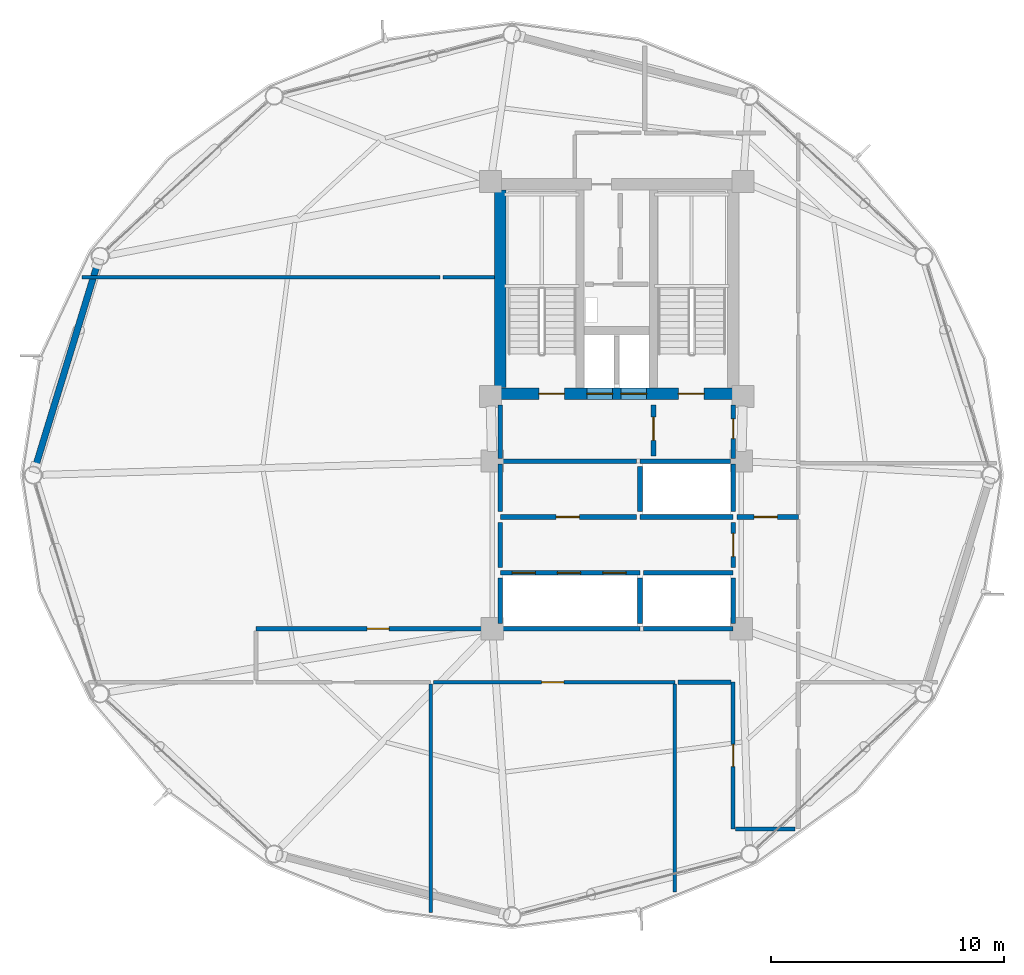
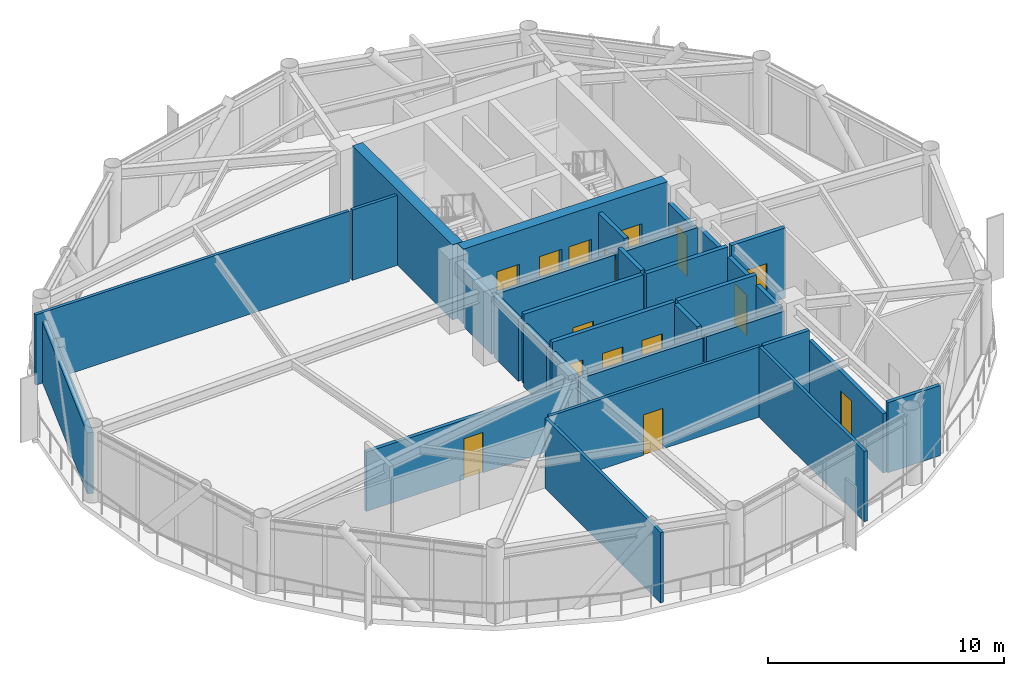
# One storey, part 20 of 24: 32 walls, 15 doors, 15 openings.
"""IFC4 building model written with IfcOpenShell, lengths in metres."""

from ifc_helpers import new_model, si_unit, direction, frame, frame_2d, origin, place, context, subcontext, project, spatial, rectangle, extrude, material, layer, layer_set, type_object, element, fill, save


model = new_model("IFC4")

# Units and contexts
model_context = context("Model", 3, precision=1e-05, world=origin(), true_north=direction((0.0, 1.0)))
body_context = subcontext(model_context, "Body", "Model", "MODEL_VIEW")
ifc_project = project(units=[si_unit("LENGTHUNIT", "METRE"), si_unit("AREAUNIT", "SQUARE_METRE"), si_unit("VOLUMEUNIT", "CUBIC_METRE"), si_unit("PLANEANGLEUNIT", "RADIAN"), si_unit("MASSUNIT", "GRAM", prefix="KILO")], contexts=[model_context])

# Site, building, storey
site_placement = place(None, origin())
site = spatial("IfcSite", under=ifc_project, at=site_placement, CompositionType="ELEMENT")
building_placement = place(site_placement, origin())
building = spatial("IfcBuilding", under=site, at=building_placement, Name="Varnakorn Sky Granary", CompositionType="ELEMENT")
storey_placement = place(building_placement, frame((0.0, 0.0, 161.699951171875)))
storey = spatial("IfcBuildingStorey", under=building, at=storey_placement, Name="L40", CompositionType="ELEMENT", Elevation=161.699951171875)

# Wall, openings, doors
ifc_material_1 = material(Name="Concrete C60/75", Category="concrete")
ifc_layer_1 = layer(ifc_material_1, 0.5, Name="Concrete C60/75")
ifc_layer_set_1 = layer_set([ifc_layer_1], Name="Concrete C60/75")
wall_type_1 = type_object("IfcWallType", Name="WT-CW-SHEAR-500", PredefinedType="SHEAR", material=ifc_layer_set_1)
wall_1_placement = place(storey_placement, frame((-2.0, 3.5, 0.0), z_axis=(0.0, 0.0, 1.0), x_axis=(1.0, 0.0, 0.0)))
wall_1 = element("IfcWall", 1, at=wall_1_placement, inside=storey, type_object=wall_type_1, Name="Core South Shear Wall L40", PredefinedType="SHEAR", context=body_context, shape_type="SweptSolid", body=[
    extrude(rectangle(XDim=10.0, YDim=0.5, at=frame_2d((5.0, 0.0))), origin(), (0.0, 0.0, 1.0), 3.89208984375),
])
opening_1_placement = place(wall_1_placement, frame((1.64990234375, 0.0, 0.0)))
opening_1 = element("IfcOpeningElement", 2, at=opening_1_placement, cuts=wall_1, Name="Opening FD-90", PredefinedType="OPENING", context=body_context, shape_type="SweptSolid", body=[
    extrude(rectangle(XDim=1.10009765625, YDim=2.14990234375, at=frame_2d((0.550048828125, 1.074951171875))), frame((0.0, 0.260009765625, 0.0), z_axis=(0.0, -1.0, 0.0), x_axis=(1.0, 0.0, 0.0)), (0.0, 0.0, 1.0), 0.52001953125),
])
opening_2_placement = place(wall_1_placement, frame((7.64990234375, 0.0, 0.0)))
opening_2 = element("IfcOpeningElement", 3, at=opening_2_placement, cuts=wall_1, Name="Opening FD-90", PredefinedType="OPENING", context=body_context, shape_type="SweptSolid", body=[
    extrude(rectangle(XDim=1.10009765625, YDim=2.14990234375, at=frame_2d((0.550048828125, 1.074951171875))), frame((0.0, 0.260009765625, 0.0), z_axis=(0.0, -1.0, 0.0), x_axis=(1.0, 0.0, 0.0)), (0.0, 0.0, 1.0), 0.52001953125),
])
opening_3_placement = place(wall_1_placement, frame((3.719970703125, 0.0, 0.0)))
opening_3 = element("IfcOpeningElement", 4, at=opening_3_placement, cuts=wall_1, Name="Opening LD-01", PredefinedType="OPENING", context=body_context, shape_type="SweptSolid", body=[
    extrude(rectangle(XDim=1.10009765625, YDim=2.199951171875, at=frame_2d((0.550048828125, 1.10009765625))), frame((0.0, 0.260009765625, 0.0), z_axis=(0.0, -1.0, 0.0), x_axis=(1.0, 0.0, 0.0)), (0.0, 0.0, 1.0), 0.52001953125),
])
opening_4_placement = place(wall_1_placement, frame((5.179931640625, 0.0, 0.0)))
opening_4 = element("IfcOpeningElement", 5, at=opening_4_placement, cuts=wall_1, Name="Opening LD-01", PredefinedType="OPENING", context=body_context, shape_type="SweptSolid", body=[
    extrude(rectangle(XDim=1.10009765625, YDim=2.199951171875, at=frame_2d((0.550048828125, 1.10009765625))), frame((0.0, 0.260009765625, 0.0), z_axis=(0.0, -1.0, 0.0), x_axis=(1.0, 0.0, 0.0)), (0.0, 0.0, 1.0), 0.52001953125),
])
ifc_material_2 = material(Name="Brushed Bronze Stainless Steel", Category="steel")
door_type_1 = type_object("IfcDoorType", Name="DR-LD-1100", OperationType="DOUBLE_DOOR_SLIDING", PredefinedType="DOOR", material=ifc_material_2)
door_1_placement = place(opening_3_placement, origin())
door_1 = element("IfcDoor", 6, at=door_1_placement, inside=storey, type_object=door_type_1, Name="Firefighting Lift FFL-1 Landing Door L40", OperationType="DOUBLE_DOOR_SLIDING", OverallHeight=2.199951171875, OverallWidth=1.10009765625, PredefinedType="DOOR", context=body_context, shape_type="SweptSolid", body=[
    extrude(rectangle(XDim=1.10009765625, YDim=2.199951171875, at=frame_2d((0.550048828125, 1.10009765625))), frame((0.0, 0.02490234375, 0.0), z_axis=(0.0, -1.0, 0.0), x_axis=(1.0, 0.0, 0.0)), (0.0, 0.0, 1.0), 0.050048828125),
])
fill(opening_3, door_1)
door_2_placement = place(opening_4_placement, origin())
door_2 = element("IfcDoor", 7, at=door_2_placement, inside=storey, type_object=door_type_1, Name="Firefighting Lift FFL-2 Landing Door L40", OperationType="DOUBLE_DOOR_SLIDING", OverallHeight=2.199951171875, OverallWidth=1.10009765625, PredefinedType="DOOR", context=body_context, shape_type="SweptSolid", body=[
    extrude(rectangle(XDim=1.10009765625, YDim=2.199951171875, at=frame_2d((0.550048828125, 1.10009765625))), frame((0.0, 0.02490234375, 0.0), z_axis=(0.0, -1.0, 0.0), x_axis=(1.0, 0.0, 0.0)), (0.0, 0.0, 1.0), 0.050048828125),
])
fill(opening_4, door_2)
ifc_material_3 = material(Name="Galvanised Painted Steel Leaf", Category="steel")
door_type_2 = type_object("IfcDoorType", Name="DR-STAIR-1100", OperationType="NOTDEFINED", PredefinedType="DOOR", material=ifc_material_3)
door_3_placement = place(opening_1_placement, origin())
door_3 = element("IfcDoor", 8, at=door_3_placement, inside=storey, type_object=door_type_2, Name="Stair ST-1 Protected Fire Door L40", OperationType="SINGLE_SWING_LEFT", OverallHeight=2.14990234375, OverallWidth=1.10009765625, PredefinedType="DOOR", context=body_context, shape_type="SweptSolid", body=[
    extrude(rectangle(XDim=1.10009765625, YDim=2.14990234375, at=frame_2d((0.550048828125, 1.074951171875))), frame((0.0, 0.02490234375, 0.0), z_axis=(0.0, -1.0, 0.0), x_axis=(1.0, 0.0, 0.0)), (0.0, 0.0, 1.0), 0.050048828125),
])
fill(opening_1, door_3)
door_4_placement = place(opening_2_placement, origin())
door_4 = element("IfcDoor", 9, at=door_4_placement, inside=storey, type_object=door_type_2, Name="Stair ST-2 Protected Fire Door L40", OperationType="SINGLE_SWING_RIGHT", OverallHeight=2.14990234375, OverallWidth=1.10009765625, PredefinedType="DOOR", context=body_context, shape_type="SweptSolid", body=[
    extrude(rectangle(XDim=1.10009765625, YDim=2.14990234375, at=frame_2d((0.550048828125, 1.074951171875))), frame((0.0, 0.02490234375, 0.0), z_axis=(0.0, -1.0, 0.0), x_axis=(1.0, 0.0, 0.0)), (0.0, 0.0, 1.0), 0.050048828125),
])
fill(opening_2, door_4)

# Walls
wall_2_placement = place(storey_placement, frame((-2.0, 3.760009765625, 0.0), z_axis=(0.0, 0.0, 1.0), x_axis=(0.0, 1.0, 0.0)))
element("IfcWall", 10, at=wall_2_placement, inside=storey, type_object=wall_type_1, Name="Core West Shear Wall L40", PredefinedType="SHEAR", context=body_context, shape_type="SweptSolid", body=[
    extrude(rectangle(XDim=8.47998046875, YDim=0.5, at=frame_2d((4.239990234375, 0.0))), origin(), (0.0, 0.0, 1.0), 3.89208984375),
])
ifc_material_4 = material(Name="Precast concrete C40/50", Category="concrete")
ifc_layer_2 = layer(ifc_material_4, 0.280029296875, Name="Precast concrete C40/50")
ifc_layer_set_2 = layer_set([ifc_layer_2], Name="Precast concrete C40/50")
wall_type_2 = type_object("IfcWallType", Name="WT-EW-CRN-280", PredefinedType="SOLIDWALL", material=ifc_layer_set_2)
wall_3_placement = place(storey_placement, frame((-21.98486328125, 0.3212890625, 0.0), z_axis=(0.0, 0.0, 1.0), x_axis=(0.292299091036, 0.95632695318, 0.0)))
element("IfcWall", 11, at=wall_3_placement, inside=storey, type_object=wall_type_2, Name="Agritech Insulated Precast Facade Wall L40-P06", PredefinedType="SOLIDWALL", context=body_context, shape_type="SweptSolid", body=[
    extrude(rectangle(XDim=9.16259765625, YDim=0.280029296875, at=frame_2d((4.581298828125, 0.0))), origin(), (0.0, 0.0, 1.0), 3.16015625),
])

# Wall, opening, door
ifc_material_5 = material(Name="Autoclaved Aerated Concrete Blockwork", Category="masonry")
ifc_layer_3 = layer(ifc_material_5, 0.199951171875, Name="Autoclaved Aerated Concrete Blockwork")
ifc_layer_set_3 = layer_set([ifc_layer_3], Name="Autoclaved Aerated Concrete Blockwork")
wall_type_3 = type_object("IfcWallType", Name="WT-FIRE-200", PredefinedType="MOVABLE", material=ifc_layer_set_3)
wall_4_placement = place(storey_placement, frame((4.580078125, 0.830078125, 0.0), z_axis=(0.0, 0.0, 1.0), x_axis=(0.0, 1.0, 0.0)))
wall_4 = element("IfcWall", 12, at=wall_4_placement, inside=storey, type_object=wall_type_3, Name="Interior Partition Wall L40-015", PredefinedType="MOVABLE", context=body_context, shape_type="SweptSolid", body=[
    extrude(rectangle(XDim=2.18994140625, YDim=0.199951171875, at=frame_2d((1.094970703125, 0.0))), origin(), (0.0, 0.0, 1.0), 3.64013671875),
])
opening_5_placement = place(wall_4_placement, frame((0.659912109375, 0.0, 0.0)))
opening_5 = element("IfcOpeningElement", 13, at=opening_5_placement, cuts=wall_4, Name="Opening FD-60", PredefinedType="OPENING", context=body_context, shape_type="SweptSolid", body=[
    extrude(rectangle(XDim=1.0, YDim=2.10009765625, at=frame_2d((0.5, 1.050048828125))), frame((0.0, 0.10986328125, 0.0), z_axis=(0.0, -1.0, 0.0), x_axis=(1.0, 0.0, 0.0)), (0.0, 0.0, 1.0), 0.219970703125),
])
ifc_material_6 = material(Name="Acoustic Timber Fire Leaf", Category="wood")
door_type_3 = type_object("IfcDoorType", Name="DR-FD60-1000", OperationType="NOTDEFINED", PredefinedType="DOOR", material=ifc_material_6)
door_5_placement = place(opening_5_placement, origin())
door_5 = element("IfcDoor", 14, at=door_5_placement, inside=storey, type_object=door_type_3, Name="Interior Door L40-015-1", OperationType="SINGLE_SWING_LEFT", OverallHeight=2.10009765625, OverallWidth=1.0, PredefinedType="DOOR", context=body_context, shape_type="SweptSolid", body=[
    extrude(rectangle(XDim=1.0, YDim=2.10009765625, at=frame_2d((0.5, 1.050048828125))), frame((0.0, 0.02490234375, 0.0), z_axis=(0.0, -1.0, 0.0), x_axis=(1.0, 0.0, 0.0)), (0.0, 0.0, 1.0), 0.050048828125),
])
fill(opening_5, door_5)

wall_5_placement = place(storey_placement, frame((8.0, 0.719970703125, 0.0), z_axis=(0.0, 0.0, 1.0), x_axis=(0.0, 1.0, 0.0)))
wall_5 = element("IfcWall", 15, at=wall_5_placement, inside=storey, type_object=wall_type_3, Name="Interior Partition Wall L40-016", PredefinedType="MOVABLE", context=body_context, shape_type="SweptSolid", body=[
    extrude(rectangle(XDim=2.300048828125, YDim=0.199951171875, at=frame_2d((1.14990234375, 0.0))), origin(), (0.0, 0.0, 1.0), 2.97216796875),
])
opening_6_placement = place(wall_5_placement, frame((0.844970703125, 0.0, 0.0)))
opening_6 = element("IfcOpeningElement", 16, at=opening_6_placement, cuts=wall_5, Name="Opening FD-60N", PredefinedType="OPENING", context=body_context, shape_type="SweptSolid", body=[
    extrude(rectangle(XDim=0.85009765625, YDim=2.10009765625, at=frame_2d((0.425048828125, 1.050048828125))), frame((0.0, 0.10986328125, 0.0), z_axis=(0.0, -1.0, 0.0), x_axis=(1.0, 0.0, 0.0)), (0.0, 0.0, 1.0), 0.219970703125),
])
door_type_4 = type_object("IfcDoorType", Name="DR-FD60-850", OperationType="NOTDEFINED", PredefinedType="DOOR", material=ifc_material_6)
door_6_placement = place(opening_6_placement, origin())
door_6 = element("IfcDoor", 17, at=door_6_placement, inside=storey, type_object=door_type_4, Name="Interior Door L40-016-1", OperationType="SINGLE_SWING_RIGHT", OverallHeight=2.10009765625, OverallWidth=0.85009765625, PredefinedType="DOOR", context=body_context, shape_type="SweptSolid", body=[
    extrude(rectangle(XDim=0.85009765625, YDim=2.10009765625, at=frame_2d((0.425048828125, 1.050048828125))), frame((0.0, 0.02490234375, 0.0), z_axis=(0.0, -1.0, 0.0), x_axis=(1.0, 0.0, 0.0)), (0.0, 0.0, 1.0), 0.050048828125),
])
fill(opening_6, door_6)

wall_6_placement = place(storey_placement, frame((8.0, -3.969970703125, 0.0), z_axis=(0.0, 0.0, 1.0), x_axis=(0.0, 1.0, 0.0)))
wall_6 = element("IfcWall", 18, at=wall_6_placement, inside=storey, type_object=wall_type_3, Name="Interior Partition Wall L40-017", PredefinedType="MOVABLE", context=body_context, shape_type="SweptSolid", body=[
    extrude(rectangle(XDim=1.93994140625, YDim=0.199951171875, at=frame_2d((0.969970703125, 0.0))), origin(), (0.0, 0.0, 1.0), 3.22216796875),
])
opening_7_placement = place(wall_6_placement, frame((0.469970703125, 0.0, 0.0)))
opening_7 = element("IfcOpeningElement", 19, at=opening_7_placement, cuts=wall_6, Name="Opening FD-60", PredefinedType="OPENING", context=body_context, shape_type="SweptSolid", body=[
    extrude(rectangle(XDim=1.0, YDim=2.10009765625, at=frame_2d((0.5, 1.050048828125))), frame((0.0, 0.10986328125, 0.0), z_axis=(0.0, -1.0, 0.0), x_axis=(1.0, 0.0, 0.0)), (0.0, 0.0, 1.0), 0.219970703125),
])
door_7_placement = place(opening_7_placement, origin())
door_7 = element("IfcDoor", 20, at=door_7_placement, inside=storey, type_object=door_type_3, Name="Interior Door L40-017-1", OperationType="SINGLE_SWING_LEFT", OverallHeight=2.10009765625, OverallWidth=1.0, PredefinedType="DOOR", context=body_context, shape_type="SweptSolid", body=[
    extrude(rectangle(XDim=1.0, YDim=2.10009765625, at=frame_2d((0.5, 1.050048828125))), frame((0.0, 0.02490234375, 0.0), z_axis=(0.0, -1.0, 0.0), x_axis=(1.0, 0.0, 0.0)), (0.0, 0.0, 1.0), 0.050048828125),
])
fill(opening_7, door_7)

wall_7_placement = place(storey_placement, frame((-2.0, -1.800048828125, 0.0), z_axis=(0.0, 0.0, 1.0), x_axis=(1.0, 0.0, 0.0)))
wall_7 = element("IfcWall", 21, at=wall_7_placement, inside=storey, type_object=wall_type_3, Name="Interior Partition Wall L40-018", PredefinedType="MOVABLE", context=body_context, shape_type="SweptSolid", body=[
    extrude(rectangle(XDim=5.840087890625, YDim=0.199951171875, at=frame_2d((2.919921875, 0.0))), origin(), (0.0, 0.0, 1.0), 3.64013671875),
])
opening_8_placement = place(wall_7_placement, frame((2.39990234375, 0.0, 0.0)))
opening_8 = element("IfcOpeningElement", 22, at=opening_8_placement, cuts=wall_7, Name="Opening FD-60", PredefinedType="OPENING", context=body_context, shape_type="SweptSolid", body=[
    extrude(rectangle(XDim=1.0, YDim=2.10009765625, at=frame_2d((0.5, 1.050048828125))), frame((0.0, 0.10986328125, 0.0), z_axis=(0.0, -1.0, 0.0), x_axis=(1.0, 0.0, 0.0)), (0.0, 0.0, 1.0), 0.219970703125),
])
door_8_placement = place(opening_8_placement, origin())
door_8 = element("IfcDoor", 23, at=door_8_placement, inside=storey, type_object=door_type_3, Name="Interior Door L40-018-1", OperationType="SINGLE_SWING_RIGHT", OverallHeight=2.10009765625, OverallWidth=1.0, PredefinedType="DOOR", context=body_context, shape_type="SweptSolid", body=[
    extrude(rectangle(XDim=1.0, YDim=2.10009765625, at=frame_2d((0.5, 1.050048828125))), frame((0.0, 0.02490234375, 0.0), z_axis=(0.0, -1.0, 0.0), x_axis=(1.0, 0.0, 0.0)), (0.0, 0.0, 1.0), 0.050048828125),
])
fill(opening_8, door_8)

wall_8_placement = place(storey_placement, frame((8.159912109375, -1.800048828125, 0.0), z_axis=(0.0, 0.0, 1.0), x_axis=(1.0, 0.0, 0.0)))
wall_8 = element("IfcWall", 24, at=wall_8_placement, inside=storey, type_object=wall_type_3, Name="Interior Partition Wall L40-019", PredefinedType="MOVABLE", context=body_context, shape_type="SweptSolid", body=[
    extrude(rectangle(XDim=2.64013671875, YDim=0.199951171875, at=frame_2d((1.320068359375, 0.0))), origin(), (0.0, 0.0, 1.0), 3.64013671875),
])
opening_9_placement = place(wall_8_placement, frame((0.739990234375, 0.0, 0.0)))
opening_9 = element("IfcOpeningElement", 25, at=opening_9_placement, cuts=wall_8, Name="Opening FD-60", PredefinedType="OPENING", context=body_context, shape_type="SweptSolid", body=[
    extrude(rectangle(XDim=1.0, YDim=2.10009765625, at=frame_2d((0.5, 1.050048828125))), frame((0.0, 0.10986328125, 0.0), z_axis=(0.0, -1.0, 0.0), x_axis=(1.0, 0.0, 0.0)), (0.0, 0.0, 1.0), 0.219970703125),
])
door_9_placement = place(opening_9_placement, origin())
door_9 = element("IfcDoor", 26, at=door_9_placement, inside=storey, type_object=door_type_3, Name="Interior Door L40-019-1", OperationType="SINGLE_SWING_LEFT", OverallHeight=2.10009765625, OverallWidth=1.0, PredefinedType="DOOR", context=body_context, shape_type="SweptSolid", body=[
    extrude(rectangle(XDim=1.0, YDim=2.10009765625, at=frame_2d((0.5, 1.050048828125))), frame((0.0, 0.02490234375, 0.0), z_axis=(0.0, -1.0, 0.0), x_axis=(1.0, 0.0, 0.0)), (0.0, 0.0, 1.0), 0.050048828125),
])
fill(opening_9, door_9)

# Walls
wall_9_placement = place(storey_placement, frame((-1.8798828125, 0.60009765625, 0.0), z_axis=(0.0, 0.0, 1.0), x_axis=(1.0, 0.0, 0.0)))
element("IfcWall", 27, at=wall_9_placement, inside=storey, type_object=wall_type_3, Name="Interior Partition Wall L40-029", PredefinedType="MOVABLE", context=body_context, shape_type="SweptSolid", body=[
    extrude(rectangle(XDim=5.719970703125, YDim=0.199951171875, at=frame_2d((2.85986328125, 0.0))), origin(), (0.0, 0.0, 1.0), 3.22216796875),
])
wall_10_placement = place(storey_placement, frame((-2.0, 0.719970703125, 0.0), z_axis=(0.0, 0.0, 1.0), x_axis=(0.0, 1.0, 0.0)))
element("IfcWall", 28, at=wall_10_placement, inside=storey, type_object=wall_type_3, Name="Interior Partition Wall L40-030", PredefinedType="MOVABLE", context=body_context, shape_type="SweptSolid", body=[
    extrude(rectangle(XDim=2.300048828125, YDim=0.199951171875, at=frame_2d((1.14990234375, 0.0))), origin(), (0.0, 0.0, 1.0), 2.97216796875),
])
wall_11_placement = place(storey_placement, frame((-2.0, -3.969970703125, 0.0), z_axis=(0.0, 0.0, 1.0), x_axis=(0.0, 1.0, 0.0)))
element("IfcWall", 29, at=wall_11_placement, inside=storey, type_object=wall_type_3, Name="Interior Partition Wall L40-031", PredefinedType="MOVABLE", context=body_context, shape_type="SweptSolid", body=[
    extrude(rectangle(XDim=1.93994140625, YDim=0.199951171875, at=frame_2d((0.969970703125, 0.0))), origin(), (0.0, 0.0, 1.0), 3.22216796875),
])
wall_12_placement = place(storey_placement, frame((-2.0, -1.570068359375, 0.0), z_axis=(0.0, 0.0, 1.0), x_axis=(0.0, 1.0, 0.0)))
element("IfcWall", 30, at=wall_12_placement, inside=storey, type_object=wall_type_3, Name="Interior Partition Wall L40-032", PredefinedType="MOVABLE", context=body_context, shape_type="SweptSolid", body=[
    extrude(rectangle(XDim=2.050048828125, YDim=0.199951171875, at=frame_2d((1.02490234375, 0.0))), origin(), (0.0, 0.0, 1.0), 3.22216796875),
])

# Wall, opening, door
ifc_material_7 = material(Name="Gypsum Plasterboard on Steel Stud", Category="steel")
ifc_layer_4 = layer(ifc_material_7, 0.14990234375, Name="Gypsum Plasterboard on Steel Stud")
ifc_layer_set_4 = layer_set([ifc_layer_4], Name="Gypsum Plasterboard on Steel Stud")
wall_type_4 = type_object("IfcWallType", Name="WT-PART-150", PredefinedType="PARTITIONING", material=ifc_layer_set_4)
wall_13_placement = place(storey_placement, frame((-4.864990234375, -8.89990234375, 0.0), z_axis=(0.0, 0.0, 1.0), x_axis=(1.0, 0.0, 0.0)))
wall_13 = element("IfcWall", 31, at=wall_13_placement, inside=storey, type_object=wall_type_4, Name="Interior Partition Wall L40-022", PredefinedType="PARTITIONING", context=body_context, shape_type="SweptSolid", body=[
    extrude(rectangle(XDim=10.364990234375, YDim=0.14990234375, at=frame_2d((5.1826171875, 0.0))), origin(), (0.0, 0.0, 1.0), 3.64013671875),
])
opening_10_placement = place(wall_13_placement, frame((4.639892578125, 0.0, 0.0)))
opening_10 = element("IfcOpeningElement", 32, at=opening_10_placement, cuts=wall_13, Name="Opening ID-95", PredefinedType="OPENING", context=body_context, shape_type="SweptSolid", body=[
    extrude(rectangle(XDim=0.949951171875, YDim=2.10009765625, at=frame_2d((0.47509765625, 1.050048828125))), frame((0.0, 0.0849609375, 0.0), z_axis=(0.0, -1.0, 0.0), x_axis=(1.0, 0.0, 0.0)), (0.0, 0.0, 1.0), 0.169921875),
])
ifc_material_8 = material(Name="Solid-Core Teak Veneer Leaf", Category="timber")
door_type_5 = type_object("IfcDoorType", Name="DR-INT-950", OperationType="NOTDEFINED", PredefinedType="DOOR", material=ifc_material_8)
door_10_placement = place(opening_10_placement, origin())
door_10 = element("IfcDoor", 33, at=door_10_placement, inside=storey, type_object=door_type_5, Name="Interior Door L40-022-1", OperationType="SINGLE_SWING_RIGHT", OverallHeight=2.10009765625, OverallWidth=0.949951171875, PredefinedType="DOOR", context=body_context, shape_type="SweptSolid", body=[
    extrude(rectangle(XDim=0.949951171875, YDim=2.10009765625, at=frame_2d((0.47509765625, 1.050048828125))), frame((0.0, 0.02490234375, 0.0), z_axis=(0.0, -1.0, 0.0), x_axis=(1.0, 0.0, 0.0)), (0.0, 0.0, 1.0), 0.050048828125),
])
fill(opening_10, door_10)

# Walls
wall_14_placement = place(storey_placement, frame((-5.0, -8.985107421875, 0.0), z_axis=(0.0, 0.0, 1.0), x_axis=(0.0, -1.0, 0.0)))
element("IfcWall", 34, at=wall_14_placement, inside=storey, type_object=wall_type_4, Name="Interior Partition Wall L40-034", PredefinedType="PARTITIONING", context=body_context, shape_type="SweptSolid", body=[
    extrude(rectangle(XDim=9.81591796875, YDim=0.14990234375, at=frame_2d((4.907958984375, 0.0))), origin(), (0.0, 0.0, 1.0), 3.64013671875),
])
wall_15_placement = place(storey_placement, frame((5.5, -8.985107421875, 0.0), z_axis=(0.0, 0.0, 1.0), x_axis=(0.0, -1.0, 0.0)))
element("IfcWall", 35, at=wall_15_placement, inside=storey, type_object=wall_type_4, Name="Interior Partition Wall L40-037", PredefinedType="PARTITIONING", context=body_context, shape_type="SweptSolid", body=[
    extrude(rectangle(XDim=8.927978515625, YDim=0.14990234375, at=frame_2d((4.4638671875, 0.0))), origin(), (0.0, 0.0, 1.0), 3.64013671875),
])
wall_16_placement = place(storey_placement, frame((-19.97607421875, 8.5, 0.0), z_axis=(0.0, 0.0, 1.0), x_axis=(1.0, 0.0, 0.0)))
element("IfcWall", 36, at=wall_16_placement, inside=storey, type_object=wall_type_4, Name="Interior Partition Wall L40-042", PredefinedType="PARTITIONING", context=body_context, shape_type="SweptSolid", body=[
    extrude(rectangle(XDim=15.3759765625, YDim=0.14990234375, at=frame_2d((7.68798828125, 0.0))), origin(), (0.0, 0.0, 1.0), 3.64013671875),
])
wall_17_placement = place(storey_placement, frame((-4.465087890625, 8.5, 0.0), z_axis=(0.0, 0.0, 1.0), x_axis=(1.0, 0.0, 0.0)))
element("IfcWall", 37, at=wall_17_placement, inside=storey, type_object=wall_type_4, Name="Interior Partition Wall L40-043", PredefinedType="PARTITIONING", context=body_context, shape_type="SweptSolid", body=[
    extrude(rectangle(XDim=2.205078125, YDim=0.14990234375, at=frame_2d((1.1025390625, 0.0))), origin(), (0.0, 0.0, 1.0), 3.64013671875),
])

# Wall, opening, door
ifc_material_9 = material(Name="Moisture-Resistant Gypsum on Stud", Category="gypsum")
ifc_layer_5 = layer(ifc_material_9, 0.179931640625, Name="Moisture-Resistant Gypsum on Stud")
ifc_layer_set_5 = layer_set([ifc_layer_5], Name="Moisture-Resistant Gypsum on Stud")
wall_type_5 = type_object("IfcWallType", Name="WT-PLUMB-180", PredefinedType="PLUMBINGWALL", material=ifc_layer_set_5)
wall_18_placement = place(storey_placement, frame((8.0, -8.89990234375, 0.0), z_axis=(0.0, 0.0, 1.0), x_axis=(0.0, -1.0, 0.0)))
wall_18 = element("IfcWall", 38, at=wall_18_placement, inside=storey, type_object=wall_type_5, Name="Interior Partition Wall L40-023", PredefinedType="PLUMBINGWALL", context=body_context, shape_type="SweptSolid", body=[
    extrude(rectangle(XDim=6.300048828125, YDim=0.179931640625, at=frame_2d((3.14990234375, 0.0))), origin(), (0.0, 0.0, 1.0), 3.072021484375),
])
opening_11_placement = place(wall_18_placement, frame((2.675048828125, 0.0, 0.0)))
opening_11 = element("IfcOpeningElement", 39, at=opening_11_placement, cuts=wall_18, Name="Opening ID-95", PredefinedType="OPENING", context=body_context, shape_type="SweptSolid", body=[
    extrude(rectangle(XDim=0.949951171875, YDim=2.10009765625, at=frame_2d((0.47509765625, 1.050048828125))), frame((0.0, 0.10009765625, 0.0), z_axis=(0.0, -1.0, 0.0), x_axis=(1.0, 0.0, 0.0)), (0.0, 0.0, 1.0), 0.199951171875),
])
door_11_placement = place(opening_11_placement, origin())
door_11 = element("IfcDoor", 40, at=door_11_placement, inside=storey, type_object=door_type_5, Name="Interior Door L40-023-1", OperationType="SINGLE_SWING_LEFT", OverallHeight=2.10009765625, OverallWidth=0.949951171875, PredefinedType="DOOR", context=body_context, shape_type="SweptSolid", body=[
    extrude(rectangle(XDim=0.949951171875, YDim=2.10009765625, at=frame_2d((0.47509765625, 1.050048828125))), frame((0.0, 0.02490234375, 0.0), z_axis=(0.0, -1.0, 0.0), x_axis=(1.0, 0.0, 0.0)), (0.0, 0.0, 1.0), 0.050048828125),
])
fill(opening_11, door_11)

wall_19_placement = place(storey_placement, frame((-2.159912109375, -6.60009765625, 0.0), z_axis=(0.0, 0.0, 1.0), x_axis=(-1.0, 0.0, 0.0)))
wall_19 = element("IfcWall", 41, at=wall_19_placement, inside=storey, type_object=wall_type_5, Name="Interior Partition Wall L40-025", PredefinedType="PLUMBINGWALL", context=body_context, shape_type="SweptSolid", body=[
    extrude(rectangle(XDim=10.340087890625, YDim=0.179931640625, at=frame_2d((5.169921875, 0.0))), origin(), (0.0, 0.0, 1.0), 3.072021484375),
])
opening_12_placement = place(wall_19_placement, frame((4.614990234375, 0.0, 0.0)))
opening_12 = element("IfcOpeningElement", 42, at=opening_12_placement, cuts=wall_19, Name="Opening ID-95", PredefinedType="OPENING", context=body_context, shape_type="SweptSolid", body=[
    extrude(rectangle(XDim=0.949951171875, YDim=2.10009765625, at=frame_2d((0.47509765625, 1.050048828125))), frame((0.0, 0.10009765625, 0.0), z_axis=(0.0, -1.0, 0.0), x_axis=(1.0, 0.0, 0.0)), (0.0, 0.0, 1.0), 0.199951171875),
])
door_12_placement = place(opening_12_placement, origin())
door_12 = element("IfcDoor", 43, at=door_12_placement, inside=storey, type_object=door_type_5, Name="Interior Door L40-025-1", OperationType="SINGLE_SWING_LEFT", OverallHeight=2.10009765625, OverallWidth=0.949951171875, PredefinedType="DOOR", context=body_context, shape_type="SweptSolid", body=[
    extrude(rectangle(XDim=0.949951171875, YDim=2.10009765625, at=frame_2d((0.47509765625, 1.050048828125))), frame((0.0, 0.02490234375, 0.0), z_axis=(0.0, -1.0, 0.0), x_axis=(1.0, 0.0, 0.0)), (0.0, 0.0, 1.0), 0.050048828125),
])
fill(opening_12, door_12)

# Walls
wall_20_placement = place(storey_placement, frame((8.10009765625, -15.199951171875, 0.0), z_axis=(0.0, 0.0, 1.0), x_axis=(1.0, 0.0, 0.0)))
element("IfcWall", 44, at=wall_20_placement, inside=storey, type_object=wall_type_5, Name="Interior Partition Wall L40-038", PredefinedType="PLUMBINGWALL", context=body_context, shape_type="SweptSolid", body=[
    extrude(rectangle(XDim=2.56689453125, YDim=0.179931640625, at=frame_2d((1.283447265625, 0.0))), origin(), (0.0, 0.0, 1.0), 3.64013671875),
])
wall_21_placement = place(storey_placement, frame((5.635009765625, -8.89990234375, 0.0), z_axis=(0.0, 0.0, 1.0), x_axis=(1.0, 0.0, 0.0)))
element("IfcWall", 45, at=wall_21_placement, inside=storey, type_object=wall_type_5, Name="Interior Partition Wall L40-039", PredefinedType="PLUMBINGWALL", context=body_context, shape_type="SweptSolid", body=[
    extrude(rectangle(XDim=2.264892578125, YDim=0.179931640625, at=frame_2d((1.13232421875, 0.0))), origin(), (0.0, 0.0, 1.0), 3.64013671875),
])
ifc_layer_6 = layer(ifc_material_5, 0.199951171875, Name="Autoclaved Aerated Concrete Blockwork")
ifc_layer_set_6 = layer_set([ifc_layer_6], Name="Autoclaved Aerated Concrete Blockwork")
wall_type_6 = type_object("IfcWallType", Name="WT-SHAFT-200", PredefinedType="SOLIDWALL", material=ifc_layer_set_6)
wall_22_placement = place(storey_placement, frame((4.0, 0.60009765625, 0.0), z_axis=(0.0, 0.0, 1.0), x_axis=(1.0, 0.0, 0.0)))
element("IfcWall", 46, at=wall_22_placement, inside=storey, type_object=wall_type_6, Name="Interior Partition Wall L40-002", PredefinedType="SOLIDWALL", context=body_context, shape_type="SweptSolid", body=[
    extrude(rectangle(XDim=3.8798828125, YDim=0.199951171875, at=frame_2d((1.93994140625, 0.0))), origin(), (0.0, 0.0, 1.0), 3.22216796875),
])
wall_23_placement = place(storey_placement, frame((4.0, -1.800048828125, 0.0), z_axis=(0.0, 0.0, 1.0), x_axis=(1.0, 0.0, 0.0)))
element("IfcWall", 47, at=wall_23_placement, inside=storey, type_object=wall_type_6, Name="Interior Partition Wall L40-003", PredefinedType="SOLIDWALL", context=body_context, shape_type="SweptSolid", body=[
    extrude(rectangle(XDim=4.0, YDim=0.199951171875, at=frame_2d((2.0, 0.0))), origin(), (0.0, 0.0, 1.0), 3.64013671875),
])
wall_24_placement = place(storey_placement, frame((4.0, -1.570068359375, 0.0), z_axis=(0.0, 0.0, 1.0), x_axis=(0.0, 1.0, 0.0)))
element("IfcWall", 48, at=wall_24_placement, inside=storey, type_object=wall_type_6, Name="Interior Partition Wall L40-004", PredefinedType="SOLIDWALL", context=body_context, shape_type="SweptSolid", body=[
    extrude(rectangle(XDim=1.940185546875, YDim=0.199951171875, at=frame_2d((0.97021484375, 0.0))), origin(), (0.0, 0.0, 1.0), 3.64013671875),
])
wall_25_placement = place(storey_placement, frame((8.0, -1.570068359375, 0.0), z_axis=(0.0, 0.0, 1.0), x_axis=(0.0, 1.0, 0.0)))
element("IfcWall", 49, at=wall_25_placement, inside=storey, type_object=wall_type_6, Name="Interior Partition Wall L40-005", PredefinedType="SOLIDWALL", context=body_context, shape_type="SweptSolid", body=[
    extrude(rectangle(XDim=2.050048828125, YDim=0.199951171875, at=frame_2d((1.02490234375, 0.0))), origin(), (0.0, 0.0, 1.0), 3.22216796875),
])

# Wall, openings, doors
wall_26_placement = place(storey_placement, frame((-2.0, -4.199951171875, 0.0), z_axis=(0.0, 0.0, 1.0), x_axis=(1.0, 0.0, 0.0)))
wall_26 = element("IfcWall", 50, at=wall_26_placement, inside=storey, type_object=wall_type_6, Name="Interior Partition Wall L40-006", PredefinedType="SOLIDWALL", context=body_context, shape_type="SweptSolid", body=[
    extrude(rectangle(XDim=6.0, YDim=0.199951171875, at=frame_2d((3.0, 0.0))), origin(), (0.0, 0.0, 1.0), 3.64013671875),
])
opening_13_placement = place(wall_26_placement, frame((0.5, 0.0, 0.0)))
opening_13 = element("IfcOpeningElement", 51, at=opening_13_placement, cuts=wall_26, Name="Opening LD-03", PredefinedType="OPENING", context=body_context, shape_type="SweptSolid", body=[
    extrude(rectangle(XDim=1.0, YDim=2.199951171875, at=frame_2d((0.5, 1.10009765625))), frame((0.0, 0.10986328125, 0.0), z_axis=(0.0, -1.0, 0.0), x_axis=(1.0, 0.0, 0.0)), (0.0, 0.0, 1.0), 0.219970703125),
])
opening_14_placement = place(wall_26_placement, frame((2.449951171875, 0.0, 0.0)))
opening_14 = element("IfcOpeningElement", 52, at=opening_14_placement, cuts=wall_26, Name="Opening LD-03", PredefinedType="OPENING", context=body_context, shape_type="SweptSolid", body=[
    extrude(rectangle(XDim=1.0, YDim=2.199951171875, at=frame_2d((0.5, 1.10009765625))), frame((0.0, 0.10986328125, 0.0), z_axis=(0.0, -1.0, 0.0), x_axis=(1.0, 0.0, 0.0)), (0.0, 0.0, 1.0), 0.219970703125),
])
opening_15_placement = place(wall_26_placement, frame((4.39990234375, 0.0, 0.0)))
opening_15 = element("IfcOpeningElement", 53, at=opening_15_placement, cuts=wall_26, Name="Opening LD-03", PredefinedType="OPENING", context=body_context, shape_type="SweptSolid", body=[
    extrude(rectangle(XDim=1.0, YDim=2.199951171875, at=frame_2d((0.5, 1.10009765625))), frame((0.0, 0.10986328125, 0.0), z_axis=(0.0, -1.0, 0.0), x_axis=(1.0, 0.0, 0.0)), (0.0, 0.0, 1.0), 0.219970703125),
])
door_type_6 = type_object("IfcDoorType", Name="DR-LD-1000", OperationType="DOUBLE_DOOR_SLIDING", PredefinedType="DOOR", material=ifc_material_2)
door_13_placement = place(opening_13_placement, origin())
door_13 = element("IfcDoor", 54, at=door_13_placement, inside=storey, type_object=door_type_6, Name="Passenger Lift PL-M1 Sliding Landing Door L40", OperationType="DOUBLE_DOOR_SLIDING", OverallHeight=2.199951171875, OverallWidth=1.0, PredefinedType="DOOR", context=body_context, shape_type="SweptSolid", body=[
    extrude(rectangle(XDim=1.0, YDim=2.199951171875, at=frame_2d((0.5, 1.10009765625))), frame((0.0, 0.02490234375, 0.0), z_axis=(0.0, -1.0, 0.0), x_axis=(1.0, 0.0, 0.0)), (0.0, 0.0, 1.0), 0.050048828125),
])
fill(opening_13, door_13)
door_14_placement = place(opening_14_placement, origin())
door_14 = element("IfcDoor", 55, at=door_14_placement, inside=storey, type_object=door_type_6, Name="Passenger Lift PL-M2 Sliding Landing Door L40", OperationType="DOUBLE_DOOR_SLIDING", OverallHeight=2.199951171875, OverallWidth=1.0, PredefinedType="DOOR", context=body_context, shape_type="SweptSolid", body=[
    extrude(rectangle(XDim=1.0, YDim=2.199951171875, at=frame_2d((0.5, 1.10009765625))), frame((0.0, 0.02490234375, 0.0), z_axis=(0.0, -1.0, 0.0), x_axis=(1.0, 0.0, 0.0)), (0.0, 0.0, 1.0), 0.050048828125),
])
fill(opening_14, door_14)
door_15_placement = place(opening_15_placement, origin())
door_15 = element("IfcDoor", 56, at=door_15_placement, inside=storey, type_object=door_type_6, Name="Passenger Lift PL-M3 Sliding Landing Door L40", OperationType="DOUBLE_DOOR_SLIDING", OverallHeight=2.199951171875, OverallWidth=1.0, PredefinedType="DOOR", context=body_context, shape_type="SweptSolid", body=[
    extrude(rectangle(XDim=1.0, YDim=2.199951171875, at=frame_2d((0.5, 1.10009765625))), frame((0.0, 0.02490234375, 0.0), z_axis=(0.0, -1.0, 0.0), x_axis=(1.0, 0.0, 0.0)), (0.0, 0.0, 1.0), 0.050048828125),
])
fill(opening_15, door_15)

# Walls
wall_27_placement = place(storey_placement, frame((-2.0, -6.60009765625, 0.0), z_axis=(0.0, 0.0, 1.0), x_axis=(1.0, 0.0, 0.0)))
element("IfcWall", 57, at=wall_27_placement, inside=storey, type_object=wall_type_6, Name="Interior Partition Wall L40-007", PredefinedType="SOLIDWALL", context=body_context, shape_type="SweptSolid", body=[
    extrude(rectangle(XDim=6.0, YDim=0.199951171875, at=frame_2d((3.0, 0.0))), origin(), (0.0, 0.0, 1.0), 3.22216796875),
])
wall_28_placement = place(storey_placement, frame((-2.0, -6.3701171875, 0.0), z_axis=(0.0, 0.0, 1.0), x_axis=(0.0, 1.0, 0.0)))
element("IfcWall", 58, at=wall_28_placement, inside=storey, type_object=wall_type_6, Name="Interior Partition Wall L40-008", PredefinedType="SOLIDWALL", context=body_context, shape_type="SweptSolid", body=[
    extrude(rectangle(XDim=1.940185546875, YDim=0.199951171875, at=frame_2d((0.97021484375, 0.0))), origin(), (0.0, 0.0, 1.0), 3.22216796875),
])
wall_29_placement = place(storey_placement, frame((4.159912109375, -4.199951171875, 0.0), z_axis=(0.0, 0.0, 1.0), x_axis=(1.0, 0.0, 0.0)))
element("IfcWall", 59, at=wall_29_placement, inside=storey, type_object=wall_type_6, Name="Interior Partition Wall L40-009", PredefinedType="SOLIDWALL", context=body_context, shape_type="SweptSolid", body=[
    extrude(rectangle(XDim=3.840087890625, YDim=0.199951171875, at=frame_2d((1.919921875, 0.0))), origin(), (0.0, 0.0, 1.0), 3.64013671875),
])
wall_30_placement = place(storey_placement, frame((4.159912109375, -6.60009765625, 0.0), z_axis=(0.0, 0.0, 1.0), x_axis=(1.0, 0.0, 0.0)))
element("IfcWall", 60, at=wall_30_placement, inside=storey, type_object=wall_type_6, Name="Interior Partition Wall L40-010", PredefinedType="SOLIDWALL", context=body_context, shape_type="SweptSolid", body=[
    extrude(rectangle(XDim=3.840087890625, YDim=0.199951171875, at=frame_2d((1.919921875, 0.0))), origin(), (0.0, 0.0, 1.0), 3.22216796875),
])
wall_31_placement = place(storey_placement, frame((4.0, -6.3701171875, 0.0), z_axis=(0.0, 0.0, 1.0), x_axis=(0.0, 1.0, 0.0)))
element("IfcWall", 61, at=wall_31_placement, inside=storey, type_object=wall_type_6, Name="Interior Partition Wall L40-011", PredefinedType="SOLIDWALL", context=body_context, shape_type="SweptSolid", body=[
    extrude(rectangle(XDim=1.940185546875, YDim=0.199951171875, at=frame_2d((0.97021484375, 0.0))), origin(), (0.0, 0.0, 1.0), 3.64013671875),
])
wall_32_placement = place(storey_placement, frame((8.0, -6.3701171875, 0.0), z_axis=(0.0, 0.0, 1.0), x_axis=(0.0, 1.0, 0.0)))
element("IfcWall", 62, at=wall_32_placement, inside=storey, type_object=wall_type_6, Name="Interior Partition Wall L40-012", PredefinedType="SOLIDWALL", context=body_context, shape_type="SweptSolid", body=[
    extrude(rectangle(XDim=1.940185546875, YDim=0.199951171875, at=frame_2d((0.97021484375, 0.0))), origin(), (0.0, 0.0, 1.0), 3.22216796875),
])

save(model, "model.ifc")
